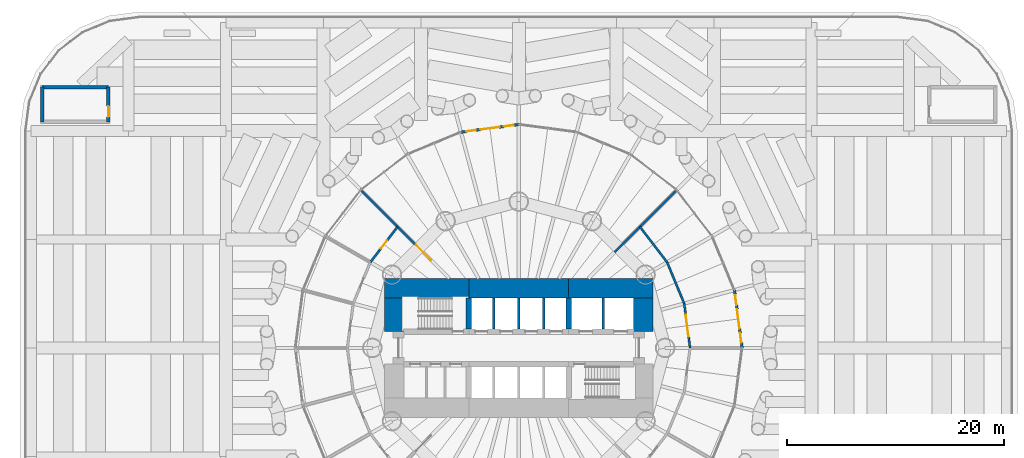
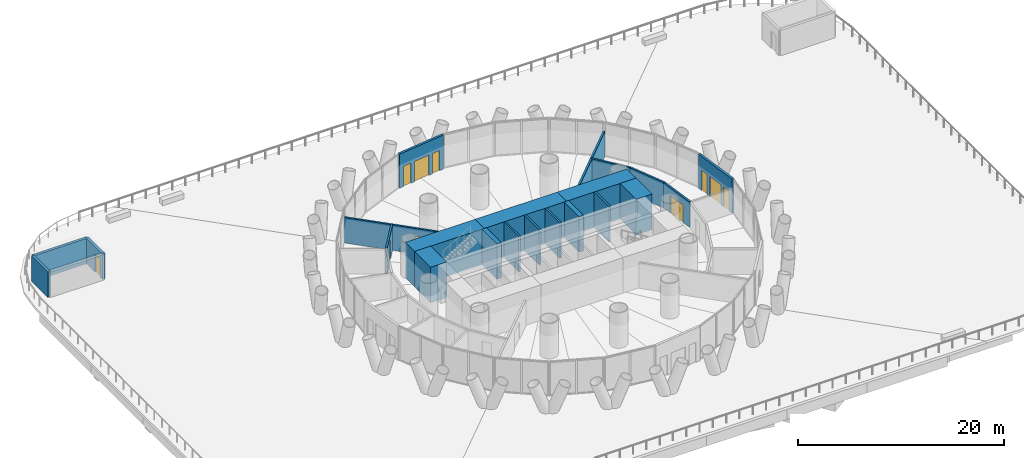
# One storey, part 15 of 19: 22 walls, 6 doors, 4 windows, 10 openings.
"""IFC4 building model written with IfcOpenShell, lengths in metres."""

from ifc_helpers import new_model, si_unit, direction, frame, frame_2d, origin, place, context, subcontext, project, spatial, rectangle, extrude, material, layer, layer_set, type_object, element, fill, save


model = new_model("IFC4")

# Units and contexts
model_context = context("Model", 3, precision=1e-05, world=origin(), true_north=direction((0.0, 1.0)))
body_context = subcontext(model_context, "Body", "Model", "MODEL_VIEW")
ifc_project = project(units=[si_unit("LENGTHUNIT", "METRE"), si_unit("AREAUNIT", "SQUARE_METRE"), si_unit("VOLUMEUNIT", "CUBIC_METRE"), si_unit("PLANEANGLEUNIT", "RADIAN"), si_unit("MASSUNIT", "GRAM", prefix="KILO")], contexts=[model_context])

# Site, building, storey
site_placement = place(None, origin())
site = spatial("IfcSite", under=ifc_project, at=site_placement, CompositionType="ELEMENT")
building_placement = place(site_placement, origin())
building = spatial("IfcBuilding", under=site, at=building_placement, Name="Qaws Media Tower", CompositionType="ELEMENT")
storey_placement = place(building_placement, frame((0.0, 0.0, 26.0)))
storey = spatial("IfcBuildingStorey", under=building, at=storey_placement, Name="L04", CompositionType="ELEMENT", Elevation=26.0)

# Wall, openings, door, windows
ifc_material_1 = material(Name="Precast concrete, exposed finish", Category="concrete")
ifc_layer_1 = layer(ifc_material_1, 0.25)
ifc_layer_set_1 = layer_set([ifc_layer_1], Name="Balcony door wall 250")
wall_type_1 = type_object("IfcWallType", Name="Balcony door wall 250", PredefinedType="SOLIDWALL", material=ifc_layer_set_1)
wall_1_placement = place(storey_placement, frame((80.60009765625, 50.0, 0.0), z_axis=(0.0, 0.0, 1.0), x_axis=(-0.130519101615, 0.991445794844, 0.0)))
wall_1 = element("IfcWall", 1, at=wall_1_placement, inside=storey, type_object=wall_type_1, Name="W108 EW1 balcony door wall L04-01", PredefinedType="SOLIDWALL", context=body_context, shape_type="SweptSolid", body=[
    extrude(rectangle(XDim=5.377685546875, YDim=0.25, at=frame_2d((2.68896484375, 0.0))), origin(), (0.0, 0.0, 1.0), 4.0400390625),
])
opening_1_placement = place(wall_1_placement, frame((1.788818359375, 0.0, 0.0)))
opening_1 = element("IfcOpeningElement", 2, at=opening_1_placement, cuts=wall_1, Name="Opening D7", PredefinedType="OPENING", context=body_context, shape_type="SweptSolid", body=[
    extrude(rectangle(XDim=1.800048828125, YDim=2.39990234375, at=frame_2d((0.89990234375, 1.199951171875))), frame((0.0, 0.135009765625, 0.0), z_axis=(0.0, -1.0, 0.0), x_axis=(1.0, 0.0, 0.0)), (0.0, 0.0, 1.0), 0.27001953125),
])
opening_2_placement = place(wall_1_placement, frame((0.48876953125, 0.0, 0.0)))
opening_2 = element("IfcOpeningElement", 3, at=opening_2_placement, cuts=wall_1, Name="Opening W7", PredefinedType="OPENING", context=body_context, shape_type="SweptSolid", body=[
    extrude(rectangle(XDim=0.89990234375, YDim=2.39990234375, at=frame_2d((0.449951171875, 1.199951171875))), frame((0.0, 0.135009765625, 0.0), z_axis=(0.0, -1.0, 0.0), x_axis=(1.0, 0.0, 0.0)), (0.0, 0.0, 1.0), 0.27001953125),
])
opening_3_placement = place(wall_1_placement, frame((3.98876953125, 0.0, 0.0)))
opening_3 = element("IfcOpeningElement", 4, at=opening_3_placement, cuts=wall_1, Name="Opening W7", PredefinedType="OPENING", context=body_context, shape_type="SweptSolid", body=[
    extrude(rectangle(XDim=0.89990234375, YDim=2.39990234375, at=frame_2d((0.449951171875, 1.199951171875))), frame((0.0, 0.135009765625, 0.0), z_axis=(0.0, -1.0, 0.0), x_axis=(1.0, 0.0, 0.0)), (0.0, 0.0, 1.0), 0.27001953125),
])
ifc_material_2 = material(Name="Aluminium and clear glass", Category="aluminium")
door_type_1 = type_object("IfcDoorType", Name="Balcony door pair 1800", OperationType="DOUBLE_DOOR_SLIDING", PredefinedType="DOOR", material=ifc_material_2)
door_1_placement = place(opening_1_placement, origin())
door_1 = element("IfcDoor", 5, at=door_1_placement, inside=storey, type_object=door_type_1, Name="D7 balcony door L04-01 in wall W108", OperationType="DOUBLE_DOOR_SLIDING", OverallHeight=2.39990234375, OverallWidth=1.800048828125, PredefinedType="DOOR", context=body_context, shape_type="SweptSolid", body=[
    extrude(rectangle(XDim=1.800048828125, YDim=2.39990234375, at=frame_2d((0.89990234375, 1.199951171875))), frame((0.0, 0.02490234375, 0.0), z_axis=(0.0, -1.0, 0.0), x_axis=(1.0, 0.0, 0.0)), (0.0, 0.0, 1.0), 0.050048828125),
])
fill(opening_1, door_1)
ifc_material_3 = material(Name="Aluminium and clear glass", Category="aluminium")
window_type = type_object("IfcWindowType", Name="Balcony side window 900", PartitioningType="SINGLE_PANEL", PredefinedType="WINDOW", material=ifc_material_3)
window_1_placement = place(opening_2_placement, origin())
window_1 = element("IfcWindow", 6, at=window_1_placement, inside=storey, type_object=window_type, Name="W1 balcony side light L04-01L", OverallHeight=2.39990234375, OverallWidth=0.89990234375, PartitioningType="SINGLE_PANEL", PredefinedType="WINDOW", context=body_context, shape_type="SweptSolid", body=[
    extrude(rectangle(XDim=0.89990234375, YDim=2.39990234375, at=frame_2d((0.449951171875, 1.199951171875))), frame((0.0, 0.030029296875, 0.0), z_axis=(0.0, -1.0, 0.0), x_axis=(1.0, 0.0, 0.0)), (0.0, 0.0, 1.0), 0.06005859375),
])
fill(opening_2, window_1)
window_2_placement = place(opening_3_placement, origin())
window_2 = element("IfcWindow", 7, at=window_2_placement, inside=storey, type_object=window_type, Name="W1 balcony side light L04-01R", OverallHeight=2.39990234375, OverallWidth=0.89990234375, PartitioningType="SINGLE_PANEL", PredefinedType="WINDOW", context=body_context, shape_type="SweptSolid", body=[
    extrude(rectangle(XDim=0.89990234375, YDim=2.39990234375, at=frame_2d((0.449951171875, 1.199951171875))), frame((0.0, 0.030029296875, 0.0), z_axis=(0.0, -1.0, 0.0), x_axis=(1.0, 0.0, 0.0)), (0.0, 0.0, 1.0), 0.06005859375),
])
fill(opening_3, window_2)

wall_2_placement = place(storey_placement, frame((60.0, 70.60009765625, 0.0), z_axis=(0.0, 0.0, 1.0), x_axis=(-0.991445794844, -0.130519101615, 0.0)))
wall_2 = element("IfcWall", 8, at=wall_2_placement, inside=storey, type_object=wall_type_1, Name="W106 EW1 balcony door wall L04-07", PredefinedType="SOLIDWALL", context=body_context, shape_type="SweptSolid", body=[
    extrude(rectangle(XDim=5.377685546875, YDim=0.25, at=frame_2d((2.68896484375, 0.0))), origin(), (0.0, 0.0, 1.0), 4.0400390625),
])
opening_4_placement = place(wall_2_placement, frame((1.788818359375, 0.0, 0.0)))
opening_4 = element("IfcOpeningElement", 9, at=opening_4_placement, cuts=wall_2, Name="Opening D7", PredefinedType="OPENING", context=body_context, shape_type="SweptSolid", body=[
    extrude(rectangle(XDim=1.800048828125, YDim=2.39990234375, at=frame_2d((0.89990234375, 1.199951171875))), frame((0.0, 0.135009765625, 0.0), z_axis=(0.0, -1.0, 0.0), x_axis=(1.0, 0.0, 0.0)), (0.0, 0.0, 1.0), 0.27001953125),
])
opening_5_placement = place(wall_2_placement, frame((0.48876953125, 0.0, 0.0)))
opening_5 = element("IfcOpeningElement", 10, at=opening_5_placement, cuts=wall_2, Name="Opening W7", PredefinedType="OPENING", context=body_context, shape_type="SweptSolid", body=[
    extrude(rectangle(XDim=0.89990234375, YDim=2.39990234375, at=frame_2d((0.449951171875, 1.199951171875))), frame((0.0, 0.135009765625, 0.0), z_axis=(0.0, -1.0, 0.0), x_axis=(1.0, 0.0, 0.0)), (0.0, 0.0, 1.0), 0.27001953125),
])
opening_6_placement = place(wall_2_placement, frame((3.98876953125, 0.0, 0.0)))
opening_6 = element("IfcOpeningElement", 11, at=opening_6_placement, cuts=wall_2, Name="Opening W7", PredefinedType="OPENING", context=body_context, shape_type="SweptSolid", body=[
    extrude(rectangle(XDim=0.89990234375, YDim=2.39990234375, at=frame_2d((0.449951171875, 1.199951171875))), frame((0.0, 0.135009765625, 0.0), z_axis=(0.0, -1.0, 0.0), x_axis=(1.0, 0.0, 0.0)), (0.0, 0.0, 1.0), 0.27001953125),
])
door_2_placement = place(opening_4_placement, origin())
door_2 = element("IfcDoor", 12, at=door_2_placement, inside=storey, type_object=door_type_1, Name="D7 balcony door L04-07 in wall W106", OperationType="DOUBLE_DOOR_SLIDING", OverallHeight=2.39990234375, OverallWidth=1.800048828125, PredefinedType="DOOR", context=body_context, shape_type="SweptSolid", body=[
    extrude(rectangle(XDim=1.800048828125, YDim=2.39990234375, at=frame_2d((0.89990234375, 1.199951171875))), frame((0.0, 0.02490234375, 0.0), z_axis=(0.0, -1.0, 0.0), x_axis=(1.0, 0.0, 0.0)), (0.0, 0.0, 1.0), 0.050048828125),
])
fill(opening_4, door_2)
window_3_placement = place(opening_5_placement, origin())
window_3 = element("IfcWindow", 13, at=window_3_placement, inside=storey, type_object=window_type, Name="W1 balcony side light L04-07L", OverallHeight=2.39990234375, OverallWidth=0.89990234375, PartitioningType="SINGLE_PANEL", PredefinedType="WINDOW", context=body_context, shape_type="SweptSolid", body=[
    extrude(rectangle(XDim=0.89990234375, YDim=2.39990234375, at=frame_2d((0.449951171875, 1.199951171875))), frame((0.0, 0.030029296875, 0.0), z_axis=(0.0, -1.0, 0.0), x_axis=(1.0, 0.0, 0.0)), (0.0, 0.0, 1.0), 0.06005859375),
])
fill(opening_5, window_3)
window_4_placement = place(opening_6_placement, origin())
window_4 = element("IfcWindow", 14, at=window_4_placement, inside=storey, type_object=window_type, Name="W1 balcony side light L04-07R", OverallHeight=2.39990234375, OverallWidth=0.89990234375, PartitioningType="SINGLE_PANEL", PredefinedType="WINDOW", context=body_context, shape_type="SweptSolid", body=[
    extrude(rectangle(XDim=0.89990234375, YDim=2.39990234375, at=frame_2d((0.449951171875, 1.199951171875))), frame((0.0, 0.030029296875, 0.0), z_axis=(0.0, -1.0, 0.0), x_axis=(1.0, 0.0, 0.0)), (0.0, 0.0, 1.0), 0.06005859375),
])
fill(opening_6, window_4)

# Walls
ifc_material_4 = material(Name="Concrete C60/75", Category="concrete")
ifc_layer_2 = layer(ifc_material_4, 0.5)
ifc_layer_set_2 = layer_set([ifc_layer_2], Name="Core inner wall 500")
wall_type_2 = type_object("IfcWallType", Name="Core inner wall 500", PredefinedType="SHEAR", material=ifc_layer_set_2)
for number, where, z_axis, x_axis, name in (
    (15, (55.39990234375, 51.72998046875, 0.0), (0.0, 0.0, 1.0), (0.0, 1.0, 0.0), "W333 SW12 core wall XNW L04"),
    (16, (64.60009765625, 51.72998046875, 0.0), (0.0, 0.0, 1.0), (0.0, 1.0, 0.0), "W337 SW12 core wall XNE L04"),
):
    element("IfcWall", number, at=place(storey_placement, frame(where, z_axis=z_axis, x_axis=x_axis)), inside=storey, type_object=wall_type_2, Name=name, PredefinedType="SHEAR", context=body_context, shape_type="SweptSolid", body=[
        extrude(rectangle(XDim=2.89013671875, YDim=0.5, at=frame_2d((1.445068359375, 0.0))), origin(), (0.0, 0.0, 1.0), 4.199951171875),
    ])
ifc_material_5 = material(Name="Concrete C60/75", Category="concrete")
ifc_layer_3 = layer(ifc_material_5, 1.800048828125)
ifc_layer_set_3 = layer_set([ifc_layer_3], Name="Core wall 1800")
wall_type_3 = type_object("IfcWallType", Name="Core wall 1800", PredefinedType="SHEAR", material=ifc_layer_set_3)
wall_3_placement = place(storey_placement, frame((47.60009765625, 55.5, 0.0), z_axis=(0.0, 0.0, 1.0), x_axis=(1.0, 0.0, 0.0)))
element("IfcWall", 17, at=wall_3_placement, inside=storey, type_object=wall_type_3, Name="W399 SW11 core wall NW L04", PredefinedType="SHEAR", context=body_context, shape_type="SweptSolid", body=[
    extrude(rectangle(XDim=7.7998046875, YDim=1.800048828125, at=frame_2d((3.89990234375, 0.0))), origin(), (0.0, 0.0, 1.0), 4.199951171875),
])
wall_4_placement = place(storey_placement, frame((55.39990234375, 55.5, 0.0), z_axis=(0.0, 0.0, 1.0), x_axis=(1.0, 0.0, 0.0)))
element("IfcWall", 18, at=wall_4_placement, inside=storey, type_object=wall_type_3, Name="W404 SW11 core wall N L04", PredefinedType="SHEAR", context=body_context, shape_type="SweptSolid", body=[
    extrude(rectangle(XDim=9.2001953125, YDim=1.800048828125, at=frame_2d((4.60009765625, 0.0))), origin(), (0.0, 0.0, 1.0), 4.199951171875),
])
wall_5_placement = place(storey_placement, frame((64.60009765625, 55.5, 0.0), z_axis=(0.0, 0.0, 1.0), x_axis=(1.0, 0.0, 0.0)))
element("IfcWall", 19, at=wall_5_placement, inside=storey, type_object=wall_type_3, Name="W406 SW11 core wall NE L04", PredefinedType="SHEAR", context=body_context, shape_type="SweptSolid", body=[
    extrude(rectangle(XDim=7.7998046875, YDim=1.800048828125, at=frame_2d((3.89990234375, 0.0))), origin(), (0.0, 0.0, 1.0), 4.199951171875),
])
for number, where, z_axis, x_axis, name in (
    (20, (71.5, 51.5, 0.0), (0.0, 0.0, 1.0), (0.0, 1.0, 0.0), "W409 SW11 core wall EN L04"),
    (21, (48.5, 51.5, 0.0), (0.0, 0.0, 1.0), (0.0, 1.0, 0.0), "W402 SW11 core wall WN L04"),
):
    element("IfcWall", number, at=place(storey_placement, frame(where, z_axis=z_axis, x_axis=x_axis)), inside=storey, type_object=wall_type_3, Name=name, PredefinedType="SHEAR", context=body_context, shape_type="SweptSolid", body=[
        extrude(rectangle(XDim=3.1201171875, YDim=1.800048828125, at=frame_2d((1.56005859375, 0.0))), origin(), (0.0, 0.0, 1.0), 4.199951171875),
    ])

# Wall, opening, door
ifc_material_6 = material(Name="Gypsum board on galvanised metal studs, acoustic double stud, deflection head", Category="gypsum")
ifc_layer_4 = layer(ifc_material_6, 0.199951171875)
ifc_layer_set_4 = layer_set([ifc_layer_4], Name="Room partition 200")
wall_type_4 = type_object("IfcWallType", Name="Room partition 200", PredefinedType="PARTITIONING", material=ifc_layer_set_4)
wall_6_placement = place(storey_placement, frame((46.31689453125, 57.89990234375, 0.0), z_axis=(0.0, 0.0, 1.0), x_axis=(0.608714823874, 0.793389099494, 0.0)))
wall_6 = element("IfcWall", 22, at=wall_6_placement, inside=storey, type_object=wall_type_4, Name="W947 IW3 partition L04", PredefinedType="PARTITIONING", context=body_context, shape_type="SweptSolid", body=[
    extrude(rectangle(XDim=4.124755859375, YDim=0.199951171875, at=frame_2d((2.0625, 0.0))), origin(), (0.0, 0.0, 1.0), 3.0400390625),
])
opening_7_placement = place(wall_6_placement, frame((1.6123046875, 0.0, 0.0)))
opening_7 = element("IfcOpeningElement", 23, at=opening_7_placement, cuts=wall_6, Name="Opening D12", PredefinedType="OPENING", context=body_context, shape_type="SweptSolid", body=[
    extrude(rectangle(XDim=0.89990234375, YDim=2.39990234375, at=frame_2d((0.449951171875, 1.199951171875))), frame((0.0, 0.10986328125, 0.0), z_axis=(0.0, -1.0, 0.0), x_axis=(1.0, 0.0, 0.0)), (0.0, 0.0, 1.0), 0.219970703125),
])
ifc_material_7 = material(Name="Timber veneered, full height", Category="wood")
door_type_2 = type_object("IfcDoorType", Name="Office door 900x2400", OperationType="SINGLE_SWING_LEFT", PredefinedType="DOOR", material=ifc_material_7)
door_3_placement = place(opening_7_placement, origin())
door_3 = element("IfcDoor", 24, at=door_3_placement, inside=storey, type_object=door_type_2, Name="D12 Editor's office door L04 in wall W947", OperationType="SINGLE_SWING_LEFT", OverallHeight=2.39990234375, OverallWidth=0.89990234375, PredefinedType="DOOR", context=body_context, shape_type="SweptSolid", body=[
    extrude(rectangle(XDim=0.89990234375, YDim=2.39990234375, at=frame_2d((0.449951171875, 1.199951171875))), frame((0.0, 0.02490234375, 0.0), z_axis=(0.0, -1.0, 0.0), x_axis=(1.0, 0.0, 0.0)), (0.0, 0.0, 1.0), 0.050048828125),
])
fill(opening_7, door_3)

# Walls
wall_7_placement = place(storey_placement, frame((71.17236328125, 61.17236328125, 0.0), z_axis=(0.0, 0.0, 1.0), x_axis=(0.608714823874, -0.793389099494, 0.0)))
element("IfcWall", 25, at=wall_7_placement, inside=storey, type_object=wall_type_4, Name="W953 IW3 partition L04", PredefinedType="PARTITIONING", context=body_context, shape_type="SweptSolid", body=[
    extrude(rectangle(XDim=4.124755859375, YDim=0.199951171875, at=frame_2d((2.0625, 0.0))), origin(), (0.0, 0.0, 1.0), 3.0400390625),
])
wall_8_placement = place(storey_placement, frame((73.68310546875, 57.89990234375, 0.0), z_axis=(0.0, 0.0, 1.0), x_axis=(0.382731667114, -0.923859551549, 0.0)))
element("IfcWall", 26, at=wall_8_placement, inside=storey, type_object=wall_type_4, Name="W956 IW3 partition L04", PredefinedType="PARTITIONING", context=body_context, shape_type="SweptSolid", body=[
    extrude(rectangle(XDim=4.12451171875, YDim=0.199951171875, at=frame_2d((2.062255859375, 0.0))), origin(), (0.0, 0.0, 1.0), 3.0400390625),
])

# Wall, opening, door
wall_9_placement = place(storey_placement, frame((75.26171875, 54.08935546875, 0.0), z_axis=(0.0, 0.0, 1.0), x_axis=(0.130515758099, -0.991446234996, 0.0)))
wall_9 = element("IfcWall", 27, at=wall_9_placement, inside=storey, type_object=wall_type_4, Name="W958 IW3 partition L04", PredefinedType="PARTITIONING", context=body_context, shape_type="SweptSolid", body=[
    extrude(rectangle(XDim=4.124755859375, YDim=0.199951171875, at=frame_2d((2.0625, 0.0))), origin(), (0.0, 0.0, 1.0), 3.0400390625),
])
opening_8_placement = place(wall_9_placement, frame((1.062255859375, 0.0, 0.0)))
opening_8 = element("IfcOpeningElement", 28, at=opening_8_placement, cuts=wall_9, Name="Opening D6", PredefinedType="OPENING", context=body_context, shape_type="SweptSolid", body=[
    extrude(rectangle(XDim=2.0, YDim=2.10009765625, at=frame_2d((1.0, 1.050048828125))), frame((0.0, 0.10986328125, 0.0), z_axis=(0.0, -1.0, 0.0), x_axis=(1.0, 0.0, 0.0)), (0.0, 0.0, 1.0), 0.219970703125),
])
ifc_material_8 = material(Name="Steel, acoustic, fire rated", Category="steel")
door_type_3 = type_object("IfcDoorType", Name="Room door pair 2000", OperationType="DOUBLE_DOOR_DOUBLE_SWING", PredefinedType="DOOR", material=ifc_material_8)
door_4_placement = place(opening_8_placement, origin())
door_4 = element("IfcDoor", 29, at=door_4_placement, inside=storey, type_object=door_type_3, Name="D6 Newsroom door L04 in wall W958", OperationType="DOUBLE_DOOR_DOUBLE_SWING", OverallHeight=2.10009765625, OverallWidth=2.0, PredefinedType="DOOR", context=body_context, shape_type="SweptSolid", body=[
    extrude(rectangle(XDim=2.0, YDim=2.10009765625, at=frame_2d((1.0, 1.050048828125))), frame((0.0, 0.02490234375, 0.0), z_axis=(0.0, -1.0, 0.0), x_axis=(1.0, 0.0, 0.0)), (0.0, 0.0, 1.0), 0.050048828125),
])
fill(opening_8, door_4)

# Wall
wall_10_placement = place(storey_placement, frame((66.39990234375, 56.39990234375, 0.0), z_axis=(0.0, 0.0, 1.0), x_axis=(0.707106781187, 0.707106781187, 0.0)))
element("IfcWall", 30, at=wall_10_placement, inside=storey, type_object=wall_type_4, Name="W952 IW3 partition L04", PredefinedType="PARTITIONING", context=body_context, shape_type="SweptSolid", body=[
    extrude(rectangle(XDim=11.509033203125, YDim=0.199951171875, at=frame_2d((5.75439453125, 0.0))), origin(), (0.0, 0.0, 1.0), 3.02001953125),
])

# Wall, opening, door
wall_11_placement = place(storey_placement, frame((53.60009765625, 56.39990234375, 0.0), z_axis=(0.0, 0.0, 1.0), x_axis=(-0.707106781187, 0.707106781187, 0.0)))
wall_11 = element("IfcWall", 31, at=wall_11_placement, inside=storey, type_object=wall_type_4, Name="W950 IW3 partition L04", PredefinedType="PARTITIONING", context=body_context, shape_type="SweptSolid", body=[
    extrude(rectangle(XDim=11.509033203125, YDim=0.199951171875, at=frame_2d((5.75439453125, 0.0))), origin(), (0.0, 0.0, 1.0), 3.02001953125),
])
opening_9_placement = place(wall_11_placement, frame((2.37451171875, 0.0, 0.0)))
opening_9 = element("IfcOpeningElement", 32, at=opening_9_placement, cuts=wall_11, Name="Opening D6", PredefinedType="OPENING", context=body_context, shape_type="SweptSolid", body=[
    extrude(rectangle(XDim=2.0, YDim=2.10009765625, at=frame_2d((1.0, 1.050048828125))), frame((0.0, 0.10986328125, 0.0), z_axis=(0.0, -1.0, 0.0), x_axis=(1.0, 0.0, 0.0)), (0.0, 0.0, 1.0), 0.219970703125),
])
door_5_placement = place(opening_9_placement, origin())
door_5 = element("IfcDoor", 33, at=door_5_placement, inside=storey, type_object=door_type_3, Name="D6 Newsroom hub door L04 in wall W950", OperationType="DOUBLE_DOOR_DOUBLE_SWING", OverallHeight=2.10009765625, OverallWidth=2.0, PredefinedType="DOOR", context=body_context, shape_type="SweptSolid", body=[
    extrude(rectangle(XDim=2.0, YDim=2.10009765625, at=frame_2d((1.0, 1.050048828125))), frame((0.0, 0.02490234375, 0.0), z_axis=(0.0, -1.0, 0.0), x_axis=(1.0, 0.0, 0.0)), (0.0, 0.0, 1.0), 0.050048828125),
])
fill(opening_9, door_5)

# Walls
ifc_material_9 = material(Name="Fire-rated gypsum board shaft wall on galvanised metal studs, deflection head", Category="gypsum")
ifc_layer_5 = layer(ifc_material_9, 0.199951171875)
ifc_layer_set_5 = layer_set([ifc_layer_5], Name="Shaft wall 200")
wall_type_5 = type_object("IfcWallType", Name="Shaft wall 200", PredefinedType="PARTITIONING", material=ifc_layer_set_5)
for number, where, z_axis, x_axis, name in (
    (34, (57.699951171875, 51.75, 0.0), (0.0, 0.0, 1.0), (0.0, 1.0, 0.0), "W1847 IW1 shaft wall N1 L04"),
    (35, (60.0, 51.75, 0.0), (0.0, 0.0, 1.0), (0.0, 1.0, 0.0), "W1849 IW1 shaft wall N2 L04"),
    (36, (62.300048828125, 51.75, 0.0), (0.0, 0.0, 1.0), (0.0, 1.0, 0.0), "W1851 IW1 shaft wall N3 L04"),
    (37, (67.800048828125, 51.75, 0.0), (0.0, 0.0, 1.0), (0.0, 1.0, 0.0), "W1852 IW1 shaft wall FL L04"),
):
    element("IfcWall", number, at=place(storey_placement, frame(where, z_axis=z_axis, x_axis=x_axis)), inside=storey, type_object=wall_type_5, Name=name, PredefinedType="PARTITIONING", context=body_context, shape_type="SweptSolid", body=[
        extrude(rectangle(XDim=2.85009765625, YDim=0.199951171875, at=frame_2d((1.425048828125, 0.0))), origin(), (0.0, 0.0, 1.0), 4.199951171875),
    ])
ifc_material_10 = material(Name="Concrete C60/75", Category="concrete")
ifc_layer_6 = layer(ifc_material_10, 0.300048828125)
ifc_layer_set_6 = layer_set([ifc_layer_6], Name="Stair enclosure wall 300")
wall_type_6 = type_object("IfcWallType", Name="Stair enclosure wall 300", PredefinedType="SHEAR", material=ifc_layer_set_6)
wall_12_placement = place(storey_placement, frame((16.050048828125, 74.050048828125, 0.0), z_axis=(0.0, 0.0, 1.0), x_axis=(1.0, 0.0, 0.0)))
element("IfcWall", 38, at=wall_12_placement, inside=storey, type_object=wall_type_6, Name="W1892 SW7 stair S3 enclosure N L04", PredefinedType="SHEAR", context=body_context, shape_type="SweptSolid", body=[
    extrude(rectangle(XDim=6.099853515625, YDim=0.300048828125, at=frame_2d((3.0498046875, 0.0))), origin(), (0.0, 0.0, 1.0), 3.0),
])
wall_13_placement = place(storey_placement, frame((16.050048828125, 70.85009765625, 0.0), z_axis=(0.0, 0.0, 1.0), x_axis=(0.0, 1.0, 0.0)))
element("IfcWall", 39, at=wall_13_placement, inside=storey, type_object=wall_type_6, Name="W1890 SW7 stair S3 enclosure W L04", PredefinedType="SHEAR", context=body_context, shape_type="SweptSolid", body=[
    extrude(rectangle(XDim=3.199951171875, YDim=0.300048828125, at=frame_2d((1.60009765625, 0.0))), origin(), (0.0, 0.0, 1.0), 3.0),
])

# Wall, opening, door
wall_14_placement = place(storey_placement, frame((22.14990234375, 70.85009765625, 0.0), z_axis=(0.0, 0.0, 1.0), x_axis=(0.0, 1.0, 0.0)))
wall_14 = element("IfcWall", 40, at=wall_14_placement, inside=storey, type_object=wall_type_6, Name="W1893 SW7 stair S3 enclosure E L04", PredefinedType="SHEAR", context=body_context, shape_type="SweptSolid", body=[
    extrude(rectangle(XDim=3.199951171875, YDim=0.300048828125, at=frame_2d((1.60009765625, 0.0))), origin(), (0.0, 0.0, 1.0), 3.0),
])
opening_10_placement = place(wall_14_placement, frame((0.449951171875, 0.0, 0.0)))
opening_10 = element("IfcOpeningElement", 41, at=opening_10_placement, cuts=wall_14, Name="Opening D11", PredefinedType="OPENING", context=body_context, shape_type="SweptSolid", body=[
    extrude(rectangle(XDim=1.0, YDim=2.10009765625, at=frame_2d((0.5, 1.050048828125))), frame((0.0, 0.159912109375, 0.0), z_axis=(0.0, -1.0, 0.0), x_axis=(1.0, 0.0, 0.0)), (0.0, 0.0, 1.0), 0.320068359375),
])
ifc_material_11 = material(Name="Steel, weatherproof, fire rated", Category="steel")
door_type_4 = type_object("IfcDoorType", Name="Head-house door 1000", OperationType="SINGLE_SWING_LEFT", PredefinedType="DOOR", material=ifc_material_11)
door_6_placement = place(opening_10_placement, origin())
door_6 = element("IfcDoor", 42, at=door_6_placement, inside=storey, type_object=door_type_4, Name="D11 stair S3 door L04 in wall W1893", OperationType="SINGLE_SWING_LEFT", OverallHeight=2.10009765625, OverallWidth=1.0, PredefinedType="DOOR", context=body_context, shape_type="SweptSolid", body=[
    extrude(rectangle(XDim=1.0, YDim=2.10009765625, at=frame_2d((0.5, 1.050048828125))), frame((0.0, 0.02490234375, 0.0), z_axis=(0.0, -1.0, 0.0), x_axis=(1.0, 0.0, 0.0)), (0.0, 0.0, 1.0), 0.050048828125),
])
fill(opening_10, door_6)

save(model, "model.ifc")
